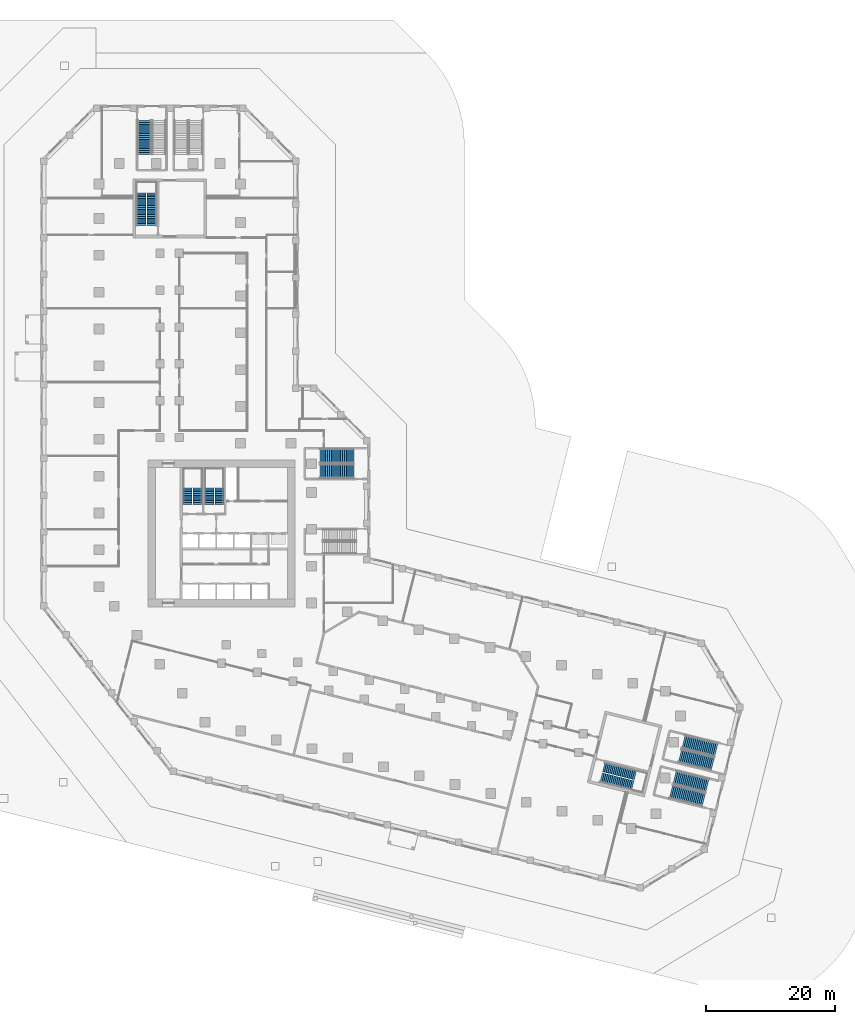
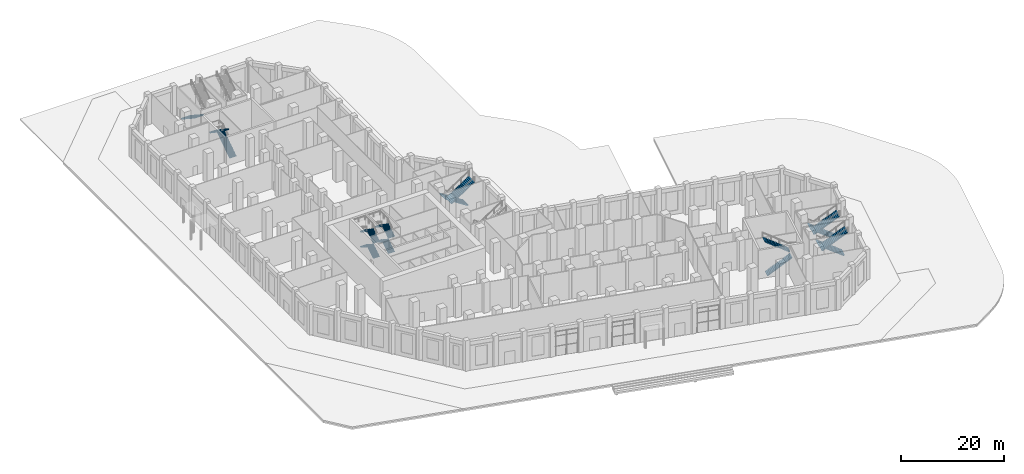
# One storey, part 21 of 27: 19 stair flights, 8 elements without a shape of their own.
"""IFC4 building model written with IfcOpenShell, lengths in metres."""

from ifc_helpers import new_model, si_unit, direction, frame, origin, place, context, subcontext, project, spatial, polyline, outline, extrude, material, type_object, element, aggregate, save


model = new_model("IFC4")

# Units and contexts
model_context = context("Model", 3, precision=1e-05, world=origin(), true_north=direction((0.0, 1.0)))
body_context = subcontext(model_context, "Body", "Model", "MODEL_VIEW")
ifc_project = project(units=[si_unit("LENGTHUNIT", "METRE"), si_unit("AREAUNIT", "SQUARE_METRE"), si_unit("VOLUMEUNIT", "CUBIC_METRE"), si_unit("PLANEANGLEUNIT", "RADIAN"), si_unit("MASSUNIT", "GRAM", prefix="KILO")], contexts=[model_context])

# Site, building, storey
site_placement = place(None, origin())
site = spatial("IfcSite", under=ifc_project, at=site_placement, CompositionType="ELEMENT")
building_placement = place(site_placement, origin())
building = spatial("IfcBuilding", under=site, at=building_placement, Name="Meshkara Civic Tower", CompositionType="ELEMENT")
storey_placement = place(building_placement, origin())
storey = spatial("IfcBuildingStorey", under=building, at=storey_placement, Name="L00", CompositionType="ELEMENT", Elevation=0.0)

# Stair, stair flights
ifc_material_1 = material(Name="Precast concrete C40/50", Category="concrete")
stair_type_1 = type_object("IfcStairType", Name="Exit stair half-turn 40 risers precast", PredefinedType="HALF_TURN_STAIR", material=ifc_material_1)
stair_1_placement = place(storey_placement, origin())
stair_1 = element("IfcStair", 1, at=stair_1_placement, inside=storey, type_object=stair_type_1, Name="L00 exit stair 1", PredefinedType="HALF_TURN_STAIR")
ifc_material_2 = material(Name="Precast concrete C40/50", Category="concrete")
stair_flight_type_1 = type_object("IfcStairFlightType", Name="Exit stair flight 10 risers precast", PredefinedType="STRAIGHT", material=ifc_material_2)
stair_flight_1_placement = place(storey_placement, frame((15.72509765625, 30.0, 0.0), z_axis=(0.0, 0.0, 1.0), x_axis=(0.0, 1.0, 0.0)))
stair_flight_1 = element("IfcStairFlight", 2, at=stair_flight_1_placement, type_object=stair_flight_type_1, Name="ST1 flight 1", NumberOfRisers=10, NumberOfTreads=9, PredefinedType="STRAIGHT", RiserHeight=0.18, TreadLength=0.28, context=body_context, shape_type="SweptSolid", body=[
    extrude(outline(polyline([(0.0, 0.0), (0.0, 0.179931640625), (0.280029296875, 0.179931640625), (0.280029296875, 0.360107421875), (0.56005859375, 0.360107421875), (0.56005859375, 0.5400390625), (0.840087890625, 0.5400390625), (0.840087890625, 0.719970703125), (1.1201171875, 0.719970703125), (1.1201171875, 0.89990234375), (1.39990234375, 0.89990234375), (1.39990234375, 1.080078125), (1.679931640625, 1.080078125), (1.679931640625, 1.260009765625), (1.9599609375, 1.260009765625), (1.9599609375, 1.43994140625), (2.239990234375, 1.43994140625), (2.239990234375, 1.6201171875), (2.52001953125, 1.6201171875), (2.52001953125, 1.800048828125), (2.52001953125, 1.44189453125), (0.277099609375, 0.0), (0.0, 0.0)])), frame((0.0, 0.699951171875, 0.0), z_axis=(0.0, -1.0, 0.0), x_axis=(1.0, 0.0, 0.0)), (0.0, 0.0, 1.0), 1.39990234375),
])
stair_flight_2_placement = place(storey_placement, frame((14.175048828125, 32.52001953125, 1.800048828125), z_axis=(0.0, 0.0, 1.0), x_axis=(0.0, -1.0, 0.0)))
stair_flight_2 = element("IfcStairFlight", 3, at=stair_flight_2_placement, type_object=stair_flight_type_1, Name="ST1 flight 2", NumberOfRisers=10, NumberOfTreads=9, PredefinedType="STRAIGHT", RiserHeight=0.18, TreadLength=0.28, context=body_context, shape_type="SweptSolid", body=[
    extrude(outline(polyline([(0.0, 0.0), (0.0, 0.179931640625), (0.280029296875, 0.179931640625), (0.280029296875, 0.360107421875), (0.56005859375, 0.360107421875), (0.56005859375, 0.5400390625), (0.840087890625, 0.5400390625), (0.840087890625, 0.719970703125), (1.1201171875, 0.719970703125), (1.1201171875, 0.89990234375), (1.39990234375, 0.89990234375), (1.39990234375, 1.080078125), (1.679931640625, 1.080078125), (1.679931640625, 1.260009765625), (1.9599609375, 1.260009765625), (1.9599609375, 1.43994140625), (2.239990234375, 1.43994140625), (2.239990234375, 1.6201171875), (2.52001953125, 1.6201171875), (2.52001953125, 1.800048828125), (2.52001953125, 1.44189453125), (0.277099609375, 0.0), (0.0, 0.0)])), frame((0.0, 0.699951171875, 0.0), z_axis=(0.0, -1.0, 0.0), x_axis=(1.0, 0.0, 0.0)), (0.0, 0.0, 1.0), 1.39990234375),
])
stair_flight_3_placement = place(storey_placement, frame((15.72509765625, 30.0, 3.60009765625), z_axis=(0.0, 0.0, 1.0), x_axis=(0.0, 1.0, 0.0)))
stair_flight_3 = element("IfcStairFlight", 4, at=stair_flight_3_placement, type_object=stair_flight_type_1, Name="ST1 flight 3", NumberOfRisers=10, NumberOfTreads=9, PredefinedType="STRAIGHT", RiserHeight=0.18, TreadLength=0.28, context=body_context, shape_type="SweptSolid", body=[
    extrude(outline(polyline([(0.0, 0.0), (0.0, 0.179931640625), (0.280029296875, 0.179931640625), (0.280029296875, 0.360107421875), (0.56005859375, 0.360107421875), (0.56005859375, 0.5400390625), (0.840087890625, 0.5400390625), (0.840087890625, 0.719970703125), (1.1201171875, 0.719970703125), (1.1201171875, 0.89990234375), (1.39990234375, 0.89990234375), (1.39990234375, 1.080078125), (1.679931640625, 1.080078125), (1.679931640625, 1.260009765625), (1.9599609375, 1.260009765625), (1.9599609375, 1.43994140625), (2.239990234375, 1.43994140625), (2.239990234375, 1.6201171875), (2.52001953125, 1.6201171875), (2.52001953125, 1.800048828125), (2.52001953125, 1.44189453125), (0.277099609375, 0.0), (0.0, 0.0)])), frame((0.0, 0.699951171875, 0.0), z_axis=(0.0, -1.0, 0.0), x_axis=(1.0, 0.0, 0.0)), (0.0, 0.0, 1.0), 1.39990234375),
])
stair_flight_4_placement = place(storey_placement, frame((14.175048828125, 32.52001953125, 5.39990234375), z_axis=(0.0, 0.0, 1.0), x_axis=(0.0, -1.0, 0.0)))
stair_flight_4 = element("IfcStairFlight", 5, at=stair_flight_4_placement, type_object=stair_flight_type_1, Name="ST1 flight 4", NumberOfRisers=10, NumberOfTreads=9, PredefinedType="STRAIGHT", RiserHeight=0.18, TreadLength=0.28, context=body_context, shape_type="SweptSolid", body=[
    extrude(outline(polyline([(0.0, 0.0), (0.0, 0.179931640625), (0.280029296875, 0.179931640625), (0.280029296875, 0.360107421875), (0.56005859375, 0.360107421875), (0.56005859375, 0.5400390625), (0.840087890625, 0.5400390625), (0.840087890625, 0.719970703125), (1.1201171875, 0.719970703125), (1.1201171875, 0.89990234375), (1.39990234375, 0.89990234375), (1.39990234375, 1.080078125), (1.679931640625, 1.080078125), (1.679931640625, 1.260009765625), (1.9599609375, 1.260009765625), (1.9599609375, 1.43994140625), (2.239990234375, 1.43994140625), (2.239990234375, 1.6201171875), (2.52001953125, 1.6201171875), (2.52001953125, 1.800048828125), (2.52001953125, 1.44189453125), (0.277099609375, 0.0), (0.0, 0.0)])), frame((0.0, 0.699951171875, 0.0), z_axis=(0.0, -1.0, 0.0), x_axis=(1.0, 0.0, 0.0)), (0.0, 0.0, 1.0), 1.39990234375),
])
aggregate(stair_1, [stair_flight_1, stair_flight_2, stair_flight_3, stair_flight_4])

stair_2_placement = place(storey_placement, origin())
stair_2 = element("IfcStair", 6, at=stair_2_placement, inside=storey, type_object=stair_type_1, Name="L00 exit stair 2", PredefinedType="HALF_TURN_STAIR")
stair_flight_5_placement = place(storey_placement, frame((19.074951171875, 30.0, 0.0), z_axis=(0.0, 0.0, 1.0), x_axis=(0.0, 1.0, 0.0)))
stair_flight_5 = element("IfcStairFlight", 7, at=stair_flight_5_placement, type_object=stair_flight_type_1, Name="ST2 flight 1", NumberOfRisers=10, NumberOfTreads=9, PredefinedType="STRAIGHT", RiserHeight=0.18, TreadLength=0.28, context=body_context, shape_type="SweptSolid", body=[
    extrude(outline(polyline([(0.0, 0.0), (0.0, 0.179931640625), (0.280029296875, 0.179931640625), (0.280029296875, 0.360107421875), (0.56005859375, 0.360107421875), (0.56005859375, 0.5400390625), (0.840087890625, 0.5400390625), (0.840087890625, 0.719970703125), (1.1201171875, 0.719970703125), (1.1201171875, 0.89990234375), (1.39990234375, 0.89990234375), (1.39990234375, 1.080078125), (1.679931640625, 1.080078125), (1.679931640625, 1.260009765625), (1.9599609375, 1.260009765625), (1.9599609375, 1.43994140625), (2.239990234375, 1.43994140625), (2.239990234375, 1.6201171875), (2.52001953125, 1.6201171875), (2.52001953125, 1.800048828125), (2.52001953125, 1.44189453125), (0.277099609375, 0.0), (0.0, 0.0)])), frame((0.0, 0.699951171875, 0.0), z_axis=(0.0, -1.0, 0.0), x_axis=(1.0, 0.0, 0.0)), (0.0, 0.0, 1.0), 1.39990234375),
])
stair_flight_6_placement = place(storey_placement, frame((17.52490234375, 32.52001953125, 1.800048828125), z_axis=(0.0, 0.0, 1.0), x_axis=(0.0, -1.0, 0.0)))
stair_flight_6 = element("IfcStairFlight", 8, at=stair_flight_6_placement, type_object=stair_flight_type_1, Name="ST2 flight 2", NumberOfRisers=10, NumberOfTreads=9, PredefinedType="STRAIGHT", RiserHeight=0.18, TreadLength=0.28, context=body_context, shape_type="SweptSolid", body=[
    extrude(outline(polyline([(0.0, 0.0), (0.0, 0.179931640625), (0.280029296875, 0.179931640625), (0.280029296875, 0.360107421875), (0.56005859375, 0.360107421875), (0.56005859375, 0.5400390625), (0.840087890625, 0.5400390625), (0.840087890625, 0.719970703125), (1.1201171875, 0.719970703125), (1.1201171875, 0.89990234375), (1.39990234375, 0.89990234375), (1.39990234375, 1.080078125), (1.679931640625, 1.080078125), (1.679931640625, 1.260009765625), (1.9599609375, 1.260009765625), (1.9599609375, 1.43994140625), (2.239990234375, 1.43994140625), (2.239990234375, 1.6201171875), (2.52001953125, 1.6201171875), (2.52001953125, 1.800048828125), (2.52001953125, 1.44189453125), (0.277099609375, 0.0), (0.0, 0.0)])), frame((0.0, 0.699951171875, 0.0), z_axis=(0.0, -1.0, 0.0), x_axis=(1.0, 0.0, 0.0)), (0.0, 0.0, 1.0), 1.39990234375),
])
stair_flight_7_placement = place(storey_placement, frame((19.074951171875, 30.0, 3.60009765625), z_axis=(0.0, 0.0, 1.0), x_axis=(0.0, 1.0, 0.0)))
stair_flight_7 = element("IfcStairFlight", 9, at=stair_flight_7_placement, type_object=stair_flight_type_1, Name="ST2 flight 3", NumberOfRisers=10, NumberOfTreads=9, PredefinedType="STRAIGHT", RiserHeight=0.18, TreadLength=0.28, context=body_context, shape_type="SweptSolid", body=[
    extrude(outline(polyline([(0.0, 0.0), (0.0, 0.179931640625), (0.280029296875, 0.179931640625), (0.280029296875, 0.360107421875), (0.56005859375, 0.360107421875), (0.56005859375, 0.5400390625), (0.840087890625, 0.5400390625), (0.840087890625, 0.719970703125), (1.1201171875, 0.719970703125), (1.1201171875, 0.89990234375), (1.39990234375, 0.89990234375), (1.39990234375, 1.080078125), (1.679931640625, 1.080078125), (1.679931640625, 1.260009765625), (1.9599609375, 1.260009765625), (1.9599609375, 1.43994140625), (2.239990234375, 1.43994140625), (2.239990234375, 1.6201171875), (2.52001953125, 1.6201171875), (2.52001953125, 1.800048828125), (2.52001953125, 1.44189453125), (0.277099609375, 0.0), (0.0, 0.0)])), frame((0.0, 0.699951171875, 0.0), z_axis=(0.0, -1.0, 0.0), x_axis=(1.0, 0.0, 0.0)), (0.0, 0.0, 1.0), 1.39990234375),
])
stair_flight_8_placement = place(storey_placement, frame((17.52490234375, 32.52001953125, 5.39990234375), z_axis=(0.0, 0.0, 1.0), x_axis=(0.0, -1.0, 0.0)))
stair_flight_8 = element("IfcStairFlight", 10, at=stair_flight_8_placement, type_object=stair_flight_type_1, Name="ST2 flight 4", NumberOfRisers=10, NumberOfTreads=9, PredefinedType="STRAIGHT", RiserHeight=0.18, TreadLength=0.28, context=body_context, shape_type="SweptSolid", body=[
    extrude(outline(polyline([(0.0, 0.0), (0.0, 0.179931640625), (0.280029296875, 0.179931640625), (0.280029296875, 0.360107421875), (0.56005859375, 0.360107421875), (0.56005859375, 0.5400390625), (0.840087890625, 0.5400390625), (0.840087890625, 0.719970703125), (1.1201171875, 0.719970703125), (1.1201171875, 0.89990234375), (1.39990234375, 0.89990234375), (1.39990234375, 1.080078125), (1.679931640625, 1.080078125), (1.679931640625, 1.260009765625), (1.9599609375, 1.260009765625), (1.9599609375, 1.43994140625), (2.239990234375, 1.43994140625), (2.239990234375, 1.6201171875), (2.52001953125, 1.6201171875), (2.52001953125, 1.800048828125), (2.52001953125, 1.44189453125), (0.277099609375, 0.0), (0.0, 0.0)])), frame((0.0, 0.699951171875, 0.0), z_axis=(0.0, -1.0, 0.0), x_axis=(1.0, 0.0, 0.0)), (0.0, 0.0, 1.0), 1.39990234375),
])
aggregate(stair_2, [stair_flight_5, stair_flight_6, stair_flight_7, stair_flight_8])

ifc_material_3 = material(Name="Precast concrete C40/50", Category="concrete")
stair_type_2 = type_object("IfcStairType", Name="Exit stair half-turn 38 risers 1500 precast", PredefinedType="HALF_TURN_STAIR", material=ifc_material_3)
stair_3_placement = place(storey_placement, origin())
stair_3 = element("IfcStair", 11, at=stair_3_placement, inside=storey, type_object=stair_type_2, Name="L00 exit stair A from B2", PredefinedType="HALF_TURN_STAIR")
ifc_material_4 = material(Name="Precast concrete C40/50", Category="concrete")
stair_flight_type_2 = type_object("IfcStairFlightType", Name="Exit stair flight 19 risers 1500 precast", PredefinedType="STRAIGHT", material=ifc_material_4)
stair_flight_9_placement = place(storey_placement, frame((8.625, 73.169921875, 0.0), z_axis=(0.0, 0.0, 1.0), x_axis=(0.0, 1.0, 0.0)))
stair_flight_9 = element("IfcStairFlight", 12, at=stair_flight_9_placement, type_object=stair_flight_type_2, Name="ESA1 flight 1", NumberOfRisers=19, NumberOfTreads=18, PredefinedType="STRAIGHT", RiserHeight=0.189473684, TreadLength=0.28, context=body_context, shape_type="SweptSolid", body=[
    extrude(outline(polyline([(0.0, 0.0), (0.0, 0.189453125), (0.280029296875, 0.189453125), (0.280029296875, 0.37890625), (0.56005859375, 0.37890625), (0.56005859375, 0.568359375), (0.840087890625, 0.568359375), (0.840087890625, 0.7578125), (1.1201171875, 0.7578125), (1.1201171875, 0.947265625), (1.39990234375, 0.947265625), (1.39990234375, 1.136962890625), (1.679931640625, 1.136962890625), (1.679931640625, 1.326416015625), (1.9599609375, 1.326416015625), (1.9599609375, 1.515869140625), (2.239990234375, 1.515869140625), (2.239990234375, 1.705322265625), (2.52001953125, 1.705322265625), (2.52001953125, 1.894775390625), (2.800048828125, 1.894775390625), (2.800048828125, 2.084228515625), (3.080078125, 2.084228515625), (3.080078125, 2.273681640625), (3.360107421875, 2.273681640625), (3.360107421875, 2.463134765625), (3.639892578125, 2.463134765625), (3.639892578125, 2.652587890625), (3.919921875, 2.652587890625), (3.919921875, 2.842041015625), (4.199951171875, 2.842041015625), (4.199951171875, 3.031494140625), (4.47998046875, 3.031494140625), (4.47998046875, 3.220947265625), (4.760009765625, 3.220947265625), (4.760009765625, 3.41064453125), (5.0400390625, 3.41064453125), (5.0400390625, 3.60009765625), (5.0400390625, 3.2294921875), (0.267578125, 0.0), (0.0, 0.0)])), frame((0.0, 0.75, 0.0), z_axis=(0.0, -1.0, 0.0), x_axis=(1.0, 0.0, 0.0)), (0.0, 0.0, 1.0), 1.5),
])
stair_flight_10_placement = place(storey_placement, frame((6.97509765625, 78.2099609375, 3.60009765625), z_axis=(0.0, 0.0, 1.0), x_axis=(0.0, -1.0, 0.0)))
stair_flight_10 = element("IfcStairFlight", 13, at=stair_flight_10_placement, type_object=stair_flight_type_2, Name="ESA1 flight 2", NumberOfRisers=19, NumberOfTreads=18, PredefinedType="STRAIGHT", RiserHeight=0.189473684, TreadLength=0.28, context=body_context, shape_type="SweptSolid", body=[
    extrude(outline(polyline([(0.0, 0.0), (0.0, 0.189453125), (0.280029296875, 0.189453125), (0.280029296875, 0.37890625), (0.56005859375, 0.37890625), (0.56005859375, 0.568359375), (0.840087890625, 0.568359375), (0.840087890625, 0.7578125), (1.1201171875, 0.7578125), (1.1201171875, 0.947265625), (1.39990234375, 0.947265625), (1.39990234375, 1.136962890625), (1.679931640625, 1.136962890625), (1.679931640625, 1.326416015625), (1.9599609375, 1.326416015625), (1.9599609375, 1.515869140625), (2.239990234375, 1.515869140625), (2.239990234375, 1.705322265625), (2.52001953125, 1.705322265625), (2.52001953125, 1.894775390625), (2.800048828125, 1.894775390625), (2.800048828125, 2.084228515625), (3.080078125, 2.084228515625), (3.080078125, 2.273681640625), (3.360107421875, 2.273681640625), (3.360107421875, 2.463134765625), (3.639892578125, 2.463134765625), (3.639892578125, 2.652587890625), (3.919921875, 2.652587890625), (3.919921875, 2.842041015625), (4.199951171875, 2.842041015625), (4.199951171875, 3.031494140625), (4.47998046875, 3.031494140625), (4.47998046875, 3.220947265625), (4.760009765625, 3.220947265625), (4.760009765625, 3.41064453125), (5.0400390625, 3.41064453125), (5.0400390625, 3.60009765625), (5.0400390625, 3.2294921875), (0.267578125, 0.0), (0.0, 0.0)])), frame((0.0, 0.75, 0.0), z_axis=(0.0, -1.0, 0.0), x_axis=(1.0, 0.0, 0.0)), (0.0, 0.0, 1.0), 1.5),
])
aggregate(stair_3, [stair_flight_9, stair_flight_10])

stair_4_placement = place(storey_placement, origin())
stair_4 = element("IfcStair", 14, at=stair_4_placement, inside=storey, type_object=stair_type_2, Name="L00 exit stair B from B2", PredefinedType="HALF_TURN_STAIR")
stair_flight_11_placement = place(storey_placement, frame((78.214599609375, -12.3125, 0.0), z_axis=(0.0, 0.0, 1.0), x_axis=(0.970260066579, -0.242064873955, 0.0)))
stair_flight_11 = element("IfcStairFlight", 15, at=stair_flight_11_placement, type_object=stair_flight_type_2, Name="ESB1 flight 1", NumberOfRisers=19, NumberOfTreads=18, PredefinedType="STRAIGHT", RiserHeight=0.189473684, TreadLength=0.28, context=body_context, shape_type="SweptSolid", body=[
    extrude(outline(polyline([(0.0, 0.0), (0.0, 0.189453125), (0.280029296875, 0.189453125), (0.280029296875, 0.37890625), (0.56005859375, 0.37890625), (0.56005859375, 0.568359375), (0.840087890625, 0.568359375), (0.840087890625, 0.7578125), (1.1201171875, 0.7578125), (1.1201171875, 0.947265625), (1.39990234375, 0.947265625), (1.39990234375, 1.136962890625), (1.679931640625, 1.136962890625), (1.679931640625, 1.326416015625), (1.9599609375, 1.326416015625), (1.9599609375, 1.515869140625), (2.239990234375, 1.515869140625), (2.239990234375, 1.705322265625), (2.52001953125, 1.705322265625), (2.52001953125, 1.894775390625), (2.800048828125, 1.894775390625), (2.800048828125, 2.084228515625), (3.080078125, 2.084228515625), (3.080078125, 2.273681640625), (3.360107421875, 2.273681640625), (3.360107421875, 2.463134765625), (3.639892578125, 2.463134765625), (3.639892578125, 2.652587890625), (3.919921875, 2.652587890625), (3.919921875, 2.842041015625), (4.199951171875, 2.842041015625), (4.199951171875, 3.031494140625), (4.47998046875, 3.031494140625), (4.47998046875, 3.220947265625), (4.760009765625, 3.220947265625), (4.760009765625, 3.41064453125), (5.0400390625, 3.41064453125), (5.0400390625, 3.60009765625), (5.0400390625, 3.2294921875), (0.267578125, 0.0), (0.0, 0.0)])), frame((0.0, 0.75, 0.0), z_axis=(0.0, -1.0, 0.0), x_axis=(1.0, 0.0, 0.0)), (0.0, 0.0, 1.0), 1.5),
])
stair_flight_12_placement = place(storey_placement, frame((83.504150390625, -11.931640625, 3.60009765625), z_axis=(0.0, 0.0, 1.0), x_axis=(-0.970260066579, 0.242064873955, 0.0)))
stair_flight_12 = element("IfcStairFlight", 16, at=stair_flight_12_placement, type_object=stair_flight_type_2, Name="ESB1 flight 2", NumberOfRisers=19, NumberOfTreads=18, PredefinedType="STRAIGHT", RiserHeight=0.189473684, TreadLength=0.28, context=body_context, shape_type="SweptSolid", body=[
    extrude(outline(polyline([(0.0, 0.0), (0.0, 0.189453125), (0.280029296875, 0.189453125), (0.280029296875, 0.37890625), (0.56005859375, 0.37890625), (0.56005859375, 0.568359375), (0.840087890625, 0.568359375), (0.840087890625, 0.7578125), (1.1201171875, 0.7578125), (1.1201171875, 0.947265625), (1.39990234375, 0.947265625), (1.39990234375, 1.136962890625), (1.679931640625, 1.136962890625), (1.679931640625, 1.326416015625), (1.9599609375, 1.326416015625), (1.9599609375, 1.515869140625), (2.239990234375, 1.515869140625), (2.239990234375, 1.705322265625), (2.52001953125, 1.705322265625), (2.52001953125, 1.894775390625), (2.800048828125, 1.894775390625), (2.800048828125, 2.084228515625), (3.080078125, 2.084228515625), (3.080078125, 2.273681640625), (3.360107421875, 2.273681640625), (3.360107421875, 2.463134765625), (3.639892578125, 2.463134765625), (3.639892578125, 2.652587890625), (3.919921875, 2.652587890625), (3.919921875, 2.842041015625), (4.199951171875, 2.842041015625), (4.199951171875, 3.031494140625), (4.47998046875, 3.031494140625), (4.47998046875, 3.220947265625), (4.760009765625, 3.220947265625), (4.760009765625, 3.41064453125), (5.0400390625, 3.41064453125), (5.0400390625, 3.60009765625), (5.0400390625, 3.2294921875), (0.267578125, 0.0), (0.0, 0.0)])), frame((0.0, 0.75, 0.0), z_axis=(0.0, -1.0, 0.0), x_axis=(1.0, 0.0, 0.0)), (0.0, 0.0, 1.0), 1.5),
])
aggregate(stair_4, [stair_flight_11, stair_flight_12])

# Stair, stair flight
ifc_material_5 = material(Name="Precast concrete C40/50", Category="concrete")
stair_type_3 = type_object("IfcStairType", Name="Podium exit stair half-turn 38 risers 2100 wide precast", PredefinedType="HALF_TURN_STAIR", material=ifc_material_5)
stair_5_placement = place(storey_placement, origin())
stair_5 = element("IfcStair", 17, at=stair_5_placement, inside=storey, type_object=stair_type_3, Name="L00 podium exit stair PS1", PredefinedType="HALF_TURN_STAIR")
ifc_material_6 = material(Name="Precast concrete C40/50", Category="concrete")
stair_flight_type_3 = type_object("IfcStairFlightType", Name="Podium exit stair flight 19 risers 2100 wide precast", PredefinedType="STRAIGHT", material=ifc_material_6)
stair_flight_13_placement = place(storey_placement, frame((7.485107421875, 89.419921875, 0.0), z_axis=(0.0, 0.0, 1.0), x_axis=(0.0, -1.0, 0.0)))
stair_flight_13 = element("IfcStairFlight", 18, at=stair_flight_13_placement, type_object=stair_flight_type_3, Name="PS1 flight 1", NumberOfRisers=19, NumberOfTreads=18, PredefinedType="STRAIGHT", RiserHeight=0.189473684, TreadLength=0.29, context=body_context, shape_type="SweptSolid", body=[
    extrude(outline(polyline([(0.0, 0.0), (0.0, 0.189453125), (0.2900390625, 0.189453125), (0.2900390625, 0.37890625), (0.580078125, 0.37890625), (0.580078125, 0.568359375), (0.8701171875, 0.568359375), (0.8701171875, 0.7578125), (1.159912109375, 0.7578125), (1.159912109375, 0.947265625), (1.449951171875, 0.947265625), (1.449951171875, 1.136962890625), (1.739990234375, 1.136962890625), (1.739990234375, 1.326416015625), (2.030029296875, 1.326416015625), (2.030029296875, 1.515869140625), (2.320068359375, 1.515869140625), (2.320068359375, 1.705322265625), (2.610107421875, 1.705322265625), (2.610107421875, 1.894775390625), (2.89990234375, 1.894775390625), (2.89990234375, 2.084228515625), (3.18994140625, 2.084228515625), (3.18994140625, 2.273681640625), (3.47998046875, 2.273681640625), (3.47998046875, 2.463134765625), (3.77001953125, 2.463134765625), (3.77001953125, 2.652587890625), (4.06005859375, 2.652587890625), (4.06005859375, 2.842041015625), (4.35009765625, 2.842041015625), (4.35009765625, 3.031494140625), (4.639892578125, 3.031494140625), (4.639892578125, 3.220947265625), (4.929931640625, 3.220947265625), (4.929931640625, 3.41064453125), (5.219970703125, 3.41064453125), (5.219970703125, 3.60009765625), (5.219970703125, 3.2314453125), (0.274169921875, 0.0), (0.0, 0.0)])), frame((0.0, 1.050048828125, 0.0), z_axis=(0.0, -1.0, 0.0), x_axis=(1.0, 0.0, 0.0)), (0.0, 0.0, 1.0), 2.10009765625),
])
aggregate(stair_5, [stair_flight_13])

# Stair, stair flights
stair_6_placement = place(storey_placement, origin())
stair_6 = element("IfcStair", 19, at=stair_6_placement, inside=storey, type_object=stair_type_3, Name="L00 podium exit stair PS3", PredefinedType="HALF_TURN_STAIR")
stair_flight_14_placement = place(storey_placement, frame((94.6494140625, -13.565673828125, 0.0), z_axis=(0.0, 0.0, 1.0), x_axis=(-0.970295726276, 0.2419218956, 0.0)))
stair_flight_14 = element("IfcStairFlight", 20, at=stair_flight_14_placement, type_object=stair_flight_type_3, Name="PS3 flight 1", NumberOfRisers=19, NumberOfTreads=18, PredefinedType="STRAIGHT", RiserHeight=0.189473684, TreadLength=0.29, context=body_context, shape_type="SweptSolid", body=[
    extrude(outline(polyline([(0.0, 0.0), (0.0, 0.189453125), (0.2900390625, 0.189453125), (0.2900390625, 0.37890625), (0.580078125, 0.37890625), (0.580078125, 0.568359375), (0.8701171875, 0.568359375), (0.8701171875, 0.7578125), (1.159912109375, 0.7578125), (1.159912109375, 0.947265625), (1.449951171875, 0.947265625), (1.449951171875, 1.136962890625), (1.739990234375, 1.136962890625), (1.739990234375, 1.326416015625), (2.030029296875, 1.326416015625), (2.030029296875, 1.515869140625), (2.320068359375, 1.515869140625), (2.320068359375, 1.705322265625), (2.610107421875, 1.705322265625), (2.610107421875, 1.894775390625), (2.89990234375, 1.894775390625), (2.89990234375, 2.084228515625), (3.18994140625, 2.084228515625), (3.18994140625, 2.273681640625), (3.47998046875, 2.273681640625), (3.47998046875, 2.463134765625), (3.77001953125, 2.463134765625), (3.77001953125, 2.652587890625), (4.06005859375, 2.652587890625), (4.06005859375, 2.842041015625), (4.35009765625, 2.842041015625), (4.35009765625, 3.031494140625), (4.639892578125, 3.031494140625), (4.639892578125, 3.220947265625), (4.929931640625, 3.220947265625), (4.929931640625, 3.41064453125), (5.219970703125, 3.41064453125), (5.219970703125, 3.60009765625), (5.219970703125, 3.2314453125), (0.274169921875, 0.0), (0.0, 0.0)])), frame((0.0, 1.050048828125, 0.0), z_axis=(0.0, -1.0, 0.0), x_axis=(1.0, 0.0, 0.0)), (0.0, 0.0, 1.0), 2.10009765625),
])
stair_flight_15_placement = place(storey_placement, frame((89.0400390625, -14.486083984375, 3.60009765625), z_axis=(0.0, 0.0, 1.0), x_axis=(0.970295726276, -0.2419218956, 0.0)))
stair_flight_15 = element("IfcStairFlight", 21, at=stair_flight_15_placement, type_object=stair_flight_type_3, Name="PS3 flight 2", NumberOfRisers=19, NumberOfTreads=18, PredefinedType="STRAIGHT", RiserHeight=0.189473684, TreadLength=0.29, context=body_context, shape_type="SweptSolid", body=[
    extrude(outline(polyline([(0.0, 0.0), (0.0, 0.189453125), (0.2900390625, 0.189453125), (0.2900390625, 0.37890625), (0.580078125, 0.37890625), (0.580078125, 0.568359375), (0.8701171875, 0.568359375), (0.8701171875, 0.7578125), (1.159912109375, 0.7578125), (1.159912109375, 0.947265625), (1.449951171875, 0.947265625), (1.449951171875, 1.136962890625), (1.739990234375, 1.136962890625), (1.739990234375, 1.326416015625), (2.030029296875, 1.326416015625), (2.030029296875, 1.515869140625), (2.320068359375, 1.515869140625), (2.320068359375, 1.705322265625), (2.610107421875, 1.705322265625), (2.610107421875, 1.894775390625), (2.89990234375, 1.894775390625), (2.89990234375, 2.084228515625), (3.18994140625, 2.084228515625), (3.18994140625, 2.273681640625), (3.47998046875, 2.273681640625), (3.47998046875, 2.463134765625), (3.77001953125, 2.463134765625), (3.77001953125, 2.652587890625), (4.06005859375, 2.652587890625), (4.06005859375, 2.842041015625), (4.35009765625, 2.842041015625), (4.35009765625, 3.031494140625), (4.639892578125, 3.031494140625), (4.639892578125, 3.220947265625), (4.929931640625, 3.220947265625), (4.929931640625, 3.41064453125), (5.219970703125, 3.41064453125), (5.219970703125, 3.60009765625), (5.219970703125, 3.2314453125), (0.274169921875, 0.0), (0.0, 0.0)])), frame((0.0, 1.050048828125, 0.0), z_axis=(0.0, -1.0, 0.0), x_axis=(1.0, 0.0, 0.0)), (0.0, 0.0, 1.0), 2.10009765625),
])
aggregate(stair_6, [stair_flight_14, stair_flight_15])

stair_7_placement = place(storey_placement, origin())
stair_7 = element("IfcStair", 22, at=stair_7_placement, inside=storey, type_object=stair_type_3, Name="L00 podium exit stair PS4", PredefinedType="HALF_TURN_STAIR")
stair_flight_16_placement = place(storey_placement, frame((96.0283203125, -8.03466796875, 0.0), z_axis=(0.0, 0.0, 1.0), x_axis=(-0.970295726276, 0.2419218956, 0.0)))
stair_flight_16 = element("IfcStairFlight", 23, at=stair_flight_16_placement, type_object=stair_flight_type_3, Name="PS4 flight 1", NumberOfRisers=19, NumberOfTreads=18, PredefinedType="STRAIGHT", RiserHeight=0.189473684, TreadLength=0.29, context=body_context, shape_type="SweptSolid", body=[
    extrude(outline(polyline([(0.0, 0.0), (0.0, 0.189453125), (0.2900390625, 0.189453125), (0.2900390625, 0.37890625), (0.580078125, 0.37890625), (0.580078125, 0.568359375), (0.8701171875, 0.568359375), (0.8701171875, 0.7578125), (1.159912109375, 0.7578125), (1.159912109375, 0.947265625), (1.449951171875, 0.947265625), (1.449951171875, 1.136962890625), (1.739990234375, 1.136962890625), (1.739990234375, 1.326416015625), (2.030029296875, 1.326416015625), (2.030029296875, 1.515869140625), (2.320068359375, 1.515869140625), (2.320068359375, 1.705322265625), (2.610107421875, 1.705322265625), (2.610107421875, 1.894775390625), (2.89990234375, 1.894775390625), (2.89990234375, 2.084228515625), (3.18994140625, 2.084228515625), (3.18994140625, 2.273681640625), (3.47998046875, 2.273681640625), (3.47998046875, 2.463134765625), (3.77001953125, 2.463134765625), (3.77001953125, 2.652587890625), (4.06005859375, 2.652587890625), (4.06005859375, 2.842041015625), (4.35009765625, 2.842041015625), (4.35009765625, 3.031494140625), (4.639892578125, 3.031494140625), (4.639892578125, 3.220947265625), (4.929931640625, 3.220947265625), (4.929931640625, 3.41064453125), (5.219970703125, 3.41064453125), (5.219970703125, 3.60009765625), (5.219970703125, 3.2314453125), (0.274169921875, 0.0), (0.0, 0.0)])), frame((0.0, 1.050048828125, 0.0), z_axis=(0.0, -1.0, 0.0), x_axis=(1.0, 0.0, 0.0)), (0.0, 0.0, 1.0), 2.10009765625),
])
stair_flight_17_placement = place(storey_placement, frame((90.419189453125, -8.955078125, 3.60009765625), z_axis=(0.0, 0.0, 1.0), x_axis=(0.970295726276, -0.2419218956, 0.0)))
stair_flight_17 = element("IfcStairFlight", 24, at=stair_flight_17_placement, type_object=stair_flight_type_3, Name="PS4 flight 2", NumberOfRisers=19, NumberOfTreads=18, PredefinedType="STRAIGHT", RiserHeight=0.189473684, TreadLength=0.29, context=body_context, shape_type="SweptSolid", body=[
    extrude(outline(polyline([(0.0, 0.0), (0.0, 0.189453125), (0.2900390625, 0.189453125), (0.2900390625, 0.37890625), (0.580078125, 0.37890625), (0.580078125, 0.568359375), (0.8701171875, 0.568359375), (0.8701171875, 0.7578125), (1.159912109375, 0.7578125), (1.159912109375, 0.947265625), (1.449951171875, 0.947265625), (1.449951171875, 1.136962890625), (1.739990234375, 1.136962890625), (1.739990234375, 1.326416015625), (2.030029296875, 1.326416015625), (2.030029296875, 1.515869140625), (2.320068359375, 1.515869140625), (2.320068359375, 1.705322265625), (2.610107421875, 1.705322265625), (2.610107421875, 1.894775390625), (2.89990234375, 1.894775390625), (2.89990234375, 2.084228515625), (3.18994140625, 2.084228515625), (3.18994140625, 2.273681640625), (3.47998046875, 2.273681640625), (3.47998046875, 2.463134765625), (3.77001953125, 2.463134765625), (3.77001953125, 2.652587890625), (4.06005859375, 2.652587890625), (4.06005859375, 2.842041015625), (4.35009765625, 2.842041015625), (4.35009765625, 3.031494140625), (4.639892578125, 3.031494140625), (4.639892578125, 3.220947265625), (4.929931640625, 3.220947265625), (4.929931640625, 3.41064453125), (5.219970703125, 3.41064453125), (5.219970703125, 3.60009765625), (5.219970703125, 3.2314453125), (0.274169921875, 0.0), (0.0, 0.0)])), frame((0.0, 1.050048828125, 0.0), z_axis=(0.0, -1.0, 0.0), x_axis=(1.0, 0.0, 0.0)), (0.0, 0.0, 1.0), 2.10009765625),
])
aggregate(stair_7, [stair_flight_16, stair_flight_17])

ifc_material_7 = material(Name="Precast concrete C40/50", Category="concrete")
stair_type_4 = type_object("IfcStairType", Name="Podium exit stair half-turn 38 risers 2200 wide precast", PredefinedType="HALF_TURN_STAIR", material=ifc_material_7)
stair_8_placement = place(storey_placement, origin())
stair_8 = element("IfcStair", 25, at=stair_8_placement, inside=storey, type_object=stair_type_4, Name="L00 podium exit stair PS6", PredefinedType="HALF_TURN_STAIR")
ifc_material_8 = material(Name="Precast concrete C40/50", Category="concrete")
stair_flight_type_4 = type_object("IfcStairFlightType", Name="Podium exit stair flight 19 risers 2200 wide precast", PredefinedType="STRAIGHT", material=ifc_material_8)
stair_flight_18_placement = place(storey_placement, frame((39.89990234375, 37.47509765625, 0.0), z_axis=(0.0, 0.0, 1.0), x_axis=(-1.0, 0.0, 0.0)))
stair_flight_18 = element("IfcStairFlight", 26, at=stair_flight_18_placement, type_object=stair_flight_type_4, Name="PS6 flight 1", NumberOfRisers=19, NumberOfTreads=18, PredefinedType="STRAIGHT", RiserHeight=0.189473684, TreadLength=0.29, context=body_context, shape_type="SweptSolid", body=[
    extrude(outline(polyline([(0.0, 0.0), (0.0, 0.189453125), (0.2900390625, 0.189453125), (0.2900390625, 0.37890625), (0.580078125, 0.37890625), (0.580078125, 0.568359375), (0.8701171875, 0.568359375), (0.8701171875, 0.7578125), (1.159912109375, 0.7578125), (1.159912109375, 0.947265625), (1.449951171875, 0.947265625), (1.449951171875, 1.136962890625), (1.739990234375, 1.136962890625), (1.739990234375, 1.326416015625), (2.030029296875, 1.326416015625), (2.030029296875, 1.515869140625), (2.320068359375, 1.515869140625), (2.320068359375, 1.705322265625), (2.610107421875, 1.705322265625), (2.610107421875, 1.894775390625), (2.89990234375, 1.894775390625), (2.89990234375, 2.084228515625), (3.18994140625, 2.084228515625), (3.18994140625, 2.273681640625), (3.47998046875, 2.273681640625), (3.47998046875, 2.463134765625), (3.77001953125, 2.463134765625), (3.77001953125, 2.652587890625), (4.06005859375, 2.652587890625), (4.06005859375, 2.842041015625), (4.35009765625, 2.842041015625), (4.35009765625, 3.031494140625), (4.639892578125, 3.031494140625), (4.639892578125, 3.220947265625), (4.929931640625, 3.220947265625), (4.929931640625, 3.41064453125), (5.219970703125, 3.41064453125), (5.219970703125, 3.60009765625), (5.219970703125, 3.2314453125), (0.274169921875, 0.0), (0.0, 0.0)])), frame((0.0, 1.10009765625, 0.0), z_axis=(0.0, -1.0, 0.0), x_axis=(1.0, 0.0, 0.0)), (0.0, 0.0, 1.0), 2.199951171875),
])
stair_flight_19_placement = place(storey_placement, frame((34.679931640625, 35.125, 3.60009765625), z_axis=(0.0, 0.0, 1.0), x_axis=(1.0, 0.0, 0.0)))
stair_flight_19 = element("IfcStairFlight", 27, at=stair_flight_19_placement, type_object=stair_flight_type_4, Name="PS6 flight 2", NumberOfRisers=19, NumberOfTreads=18, PredefinedType="STRAIGHT", RiserHeight=0.189473684, TreadLength=0.29, context=body_context, shape_type="SweptSolid", body=[
    extrude(outline(polyline([(0.0, 0.0), (0.0, 0.189453125), (0.2900390625, 0.189453125), (0.2900390625, 0.37890625), (0.580078125, 0.37890625), (0.580078125, 0.568359375), (0.8701171875, 0.568359375), (0.8701171875, 0.7578125), (1.159912109375, 0.7578125), (1.159912109375, 0.947265625), (1.449951171875, 0.947265625), (1.449951171875, 1.136962890625), (1.739990234375, 1.136962890625), (1.739990234375, 1.326416015625), (2.030029296875, 1.326416015625), (2.030029296875, 1.515869140625), (2.320068359375, 1.515869140625), (2.320068359375, 1.705322265625), (2.610107421875, 1.705322265625), (2.610107421875, 1.894775390625), (2.89990234375, 1.894775390625), (2.89990234375, 2.084228515625), (3.18994140625, 2.084228515625), (3.18994140625, 2.273681640625), (3.47998046875, 2.273681640625), (3.47998046875, 2.463134765625), (3.77001953125, 2.463134765625), (3.77001953125, 2.652587890625), (4.06005859375, 2.652587890625), (4.06005859375, 2.842041015625), (4.35009765625, 2.842041015625), (4.35009765625, 3.031494140625), (4.639892578125, 3.031494140625), (4.639892578125, 3.220947265625), (4.929931640625, 3.220947265625), (4.929931640625, 3.41064453125), (5.219970703125, 3.41064453125), (5.219970703125, 3.60009765625), (5.219970703125, 3.2314453125), (0.274169921875, 0.0), (0.0, 0.0)])), frame((0.0, 1.10009765625, 0.0), z_axis=(0.0, -1.0, 0.0), x_axis=(1.0, 0.0, 0.0)), (0.0, 0.0, 1.0), 2.199951171875),
])
aggregate(stair_8, [stair_flight_18, stair_flight_19])

save(model, "model.ifc")
